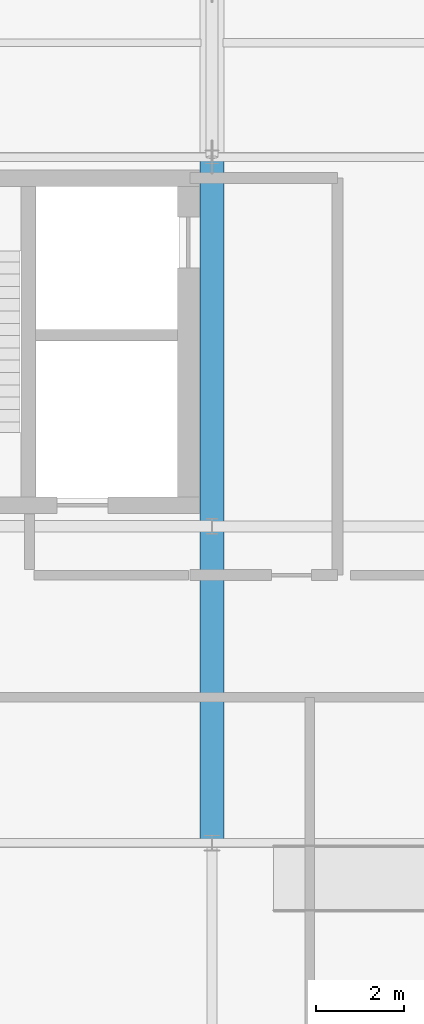
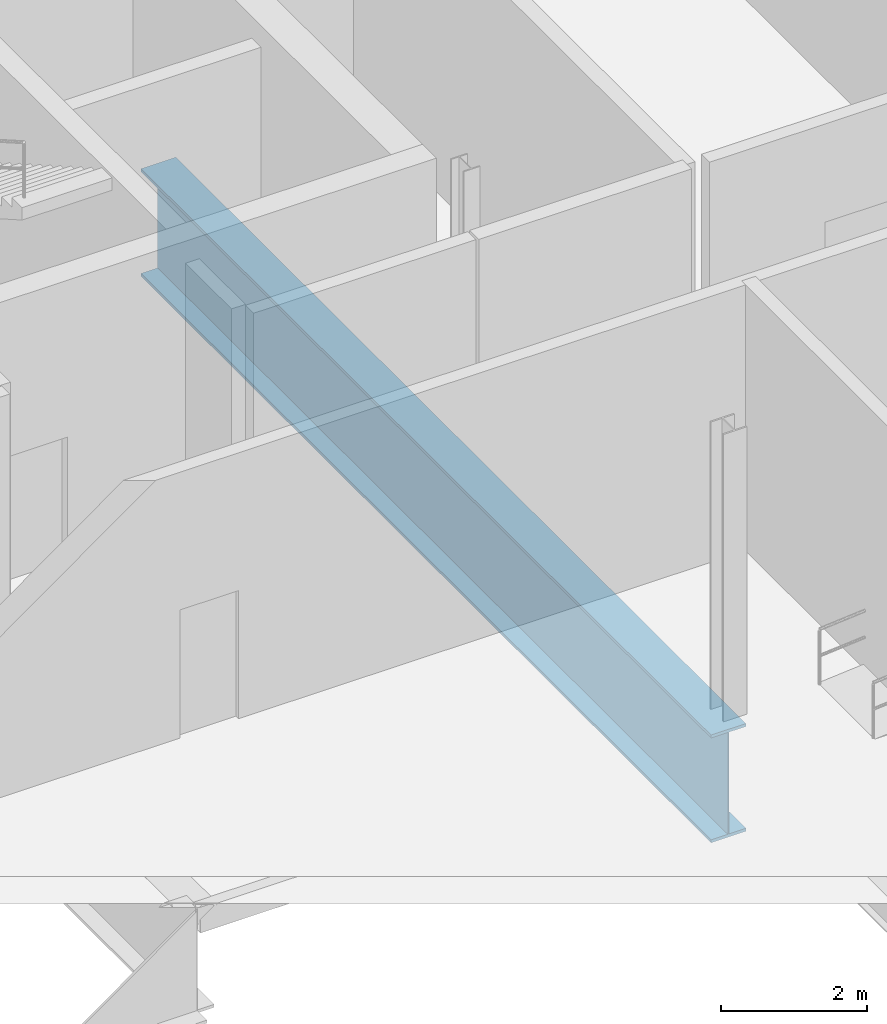
# One storey, part 13 of 81: 1 beam.
"""IFC4 building model written with IfcOpenShell, lengths in metres."""

from ifc_helpers import new_model, si_unit, direction, frame, origin_with_axes, origin_2d_with_axis, place, context, subcontext, project, spatial, i_section, extrude, material, material_profile, profile_set, type_object, element, save


model = new_model("IFC4")

# Units and contexts
model_context = context("Model", 3, precision=1e-05, world=origin_with_axes(), true_north=direction((0.0, 1.0)))
body_context = subcontext(model_context, "Body", "Model", "MODEL_VIEW")
ifc_project = project(units=[si_unit("LENGTHUNIT", "METRE"), si_unit("AREAUNIT", "SQUARE_METRE"), si_unit("VOLUMEUNIT", "CUBIC_METRE"), si_unit("PLANEANGLEUNIT", "RADIAN"), si_unit("MASSUNIT", "GRAM", prefix="KILO"), si_unit("THERMODYNAMICTEMPERATUREUNIT", "KELVIN")], contexts=[model_context])

# Site, building, storey
site_placement = place(None, origin_with_axes())
site = spatial("IfcSite", under=ifc_project, at=site_placement, CompositionType="ELEMENT")
building_placement = place(site_placement, origin_with_axes())
building = spatial("IfcBuilding", under=site, at=building_placement, Name="Montbau Bow Law Courts", CompositionType="ELEMENT")
storey_placement = place(building_placement, frame((0.0, 0.0, 24.9), z_axis=(0.0, 0.0, 1.0), x_axis=(1.0, 0.0, 0.0)))
storey = spatial("IfcBuildingStorey", under=building, at=storey_placement, Name="L05", CompositionType="ELEMENT", Elevation=24.9)

# Beam
ifc_material = material(Name="Steel CSA G40.21 Grade 350WT (350 MPa)", Category="steel")
ifc_material_profile = material_profile(ifc_material, i_section(OverallWidth=0.55, OverallDepth=1.8, WebThickness=0.022, FlangeThickness=0.05, at=origin_2d_with_axis()), Name="WWF1800X550", Category="Main", Priority=0)
ifc_profile_set = profile_set([ifc_material_profile], Name="Steel CSA G40.21 Grade 350WT (350 MPa)")
beam_type = type_object("IfcBeamType", Name="B-TRG-01", PredefinedType="USERDEFINED", material=ifc_profile_set)
beam_placement = place(None, frame((22.2, 39.0, 23.7), z_axis=(0.0, 1.0, 0.0), x_axis=(-1.0, 0.0, 0.0)))
element("IfcBeam", 1, at=beam_placement, inside=storey, type_object=beam_type, Name="TRG-L05-S0035:bm2_0038", ObjectType="GIRDER", PredefinedType="USERDEFINED", context=body_context, shape_type="SweptSolid", body=[
    extrude(i_section(OverallWidth=0.55, OverallDepth=1.8, WebThickness=0.022, FlangeThickness=0.05, at=origin_2d_with_axis()), origin_with_axes(), (0.0, 0.0, 1.0), 15.6),
])

save(model, "model.ifc")
